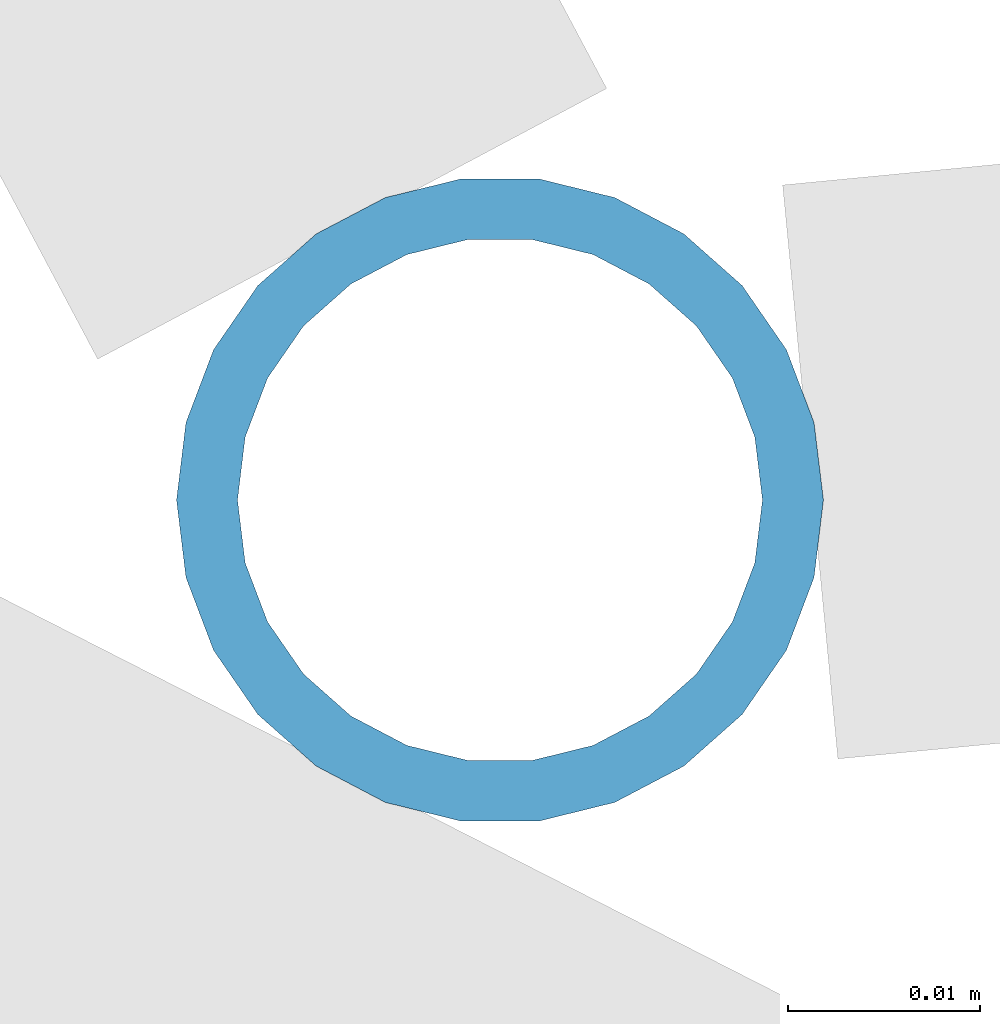
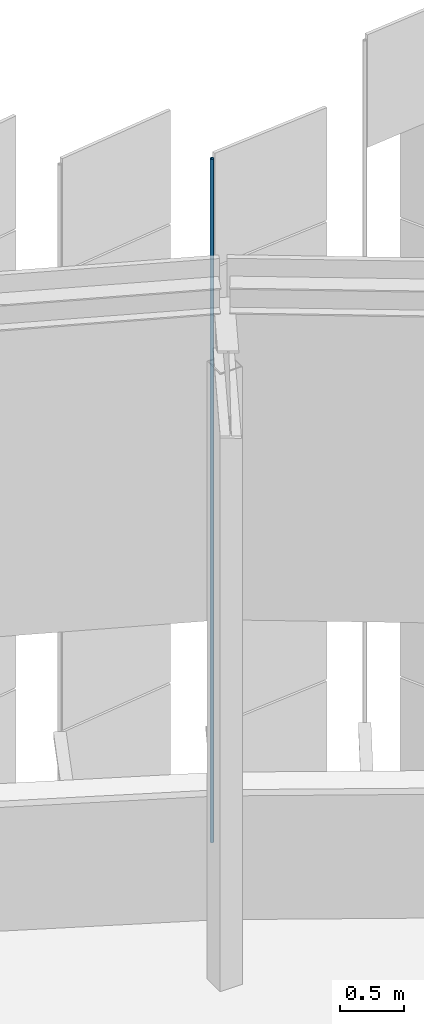
# One storey, part 401 of 483: 1 discrete accessory.
"""IFC4 building model written with IfcOpenShell, lengths in metres."""

from ifc_helpers import new_model, si_unit, direction, frame, origin, origin_2d, place, context, subcontext, project, spatial, hollow_circle, extrude, material, material_profile, profile_set, type_object, element, save


model = new_model("IFC4")

# Units and contexts
model_context = context("Model", 3, precision=1e-05, world=origin(), true_north=direction((0.0, 1.0)))
body_context = subcontext(model_context, "Body", "Model", "MODEL_VIEW")
ifc_project = project(units=[si_unit("LENGTHUNIT", "METRE"), si_unit("AREAUNIT", "SQUARE_METRE"), si_unit("VOLUMEUNIT", "CUBIC_METRE"), si_unit("PLANEANGLEUNIT", "RADIAN"), si_unit("MASSUNIT", "GRAM", prefix="KILO")], contexts=[model_context])

# Site, building, storey
site_placement = place(None, origin())
site = spatial("IfcSite", under=ifc_project, at=site_placement, CompositionType="ELEMENT")
building_placement = place(site_placement, origin())
building = spatial("IfcBuilding", under=site, at=building_placement, Name="Parallax Yard Mobility Hub", CompositionType="ELEMENT")
storey_placement = place(building_placement, frame((0.0, 0.0, 13.199951171875)))
storey = spatial("IfcBuildingStorey", under=building, at=storey_placement, Name="L04", CompositionType="ELEMENT", Elevation=13.199951171875)

# Discrete accessory
ifc_material = material(Name="Steel ASTM A500 Gr C, hot-dip galvanised", Category="steel")
ifc_material_profile = material_profile(ifc_material, hollow_circle(Radius=0.016845703125, WallThickness=0.003173828125, at=origin_2d()), Name="CHS 33.7x3.2")
ifc_profile_set = profile_set([ifc_material_profile], Name="Steel ASTM A500 Gr C, hot-dip galvanised")
discrete_accessory_type = type_object("IfcDiscreteAccessoryType", Name="Hinge post CHS 33.7x3.2", PredefinedType="BRACKET", material=ifc_profile_set)
discrete_accessory_placement = place(storey_placement, frame((196.705810546875, 137.50732421875, 0.0), z_axis=(0.0, 0.0, 1.0), x_axis=(1.0, 0.0, 0.0)))
element("IfcDiscreteAccessory", 1, at=discrete_accessory_placement, inside=storey, type_object=discrete_accessory_type, Name="Hinge post bay 48.1 level L04", PredefinedType="BRACKET", context=body_context, shape_type="SweptSolid", body=[
    extrude(hollow_circle(Radius=0.016845703125, WallThickness=0.003173828125, at=origin_2d()), origin(), (0.0, 0.0, 1.0), 6.550048828125),
])

save(model, "model.ifc")
